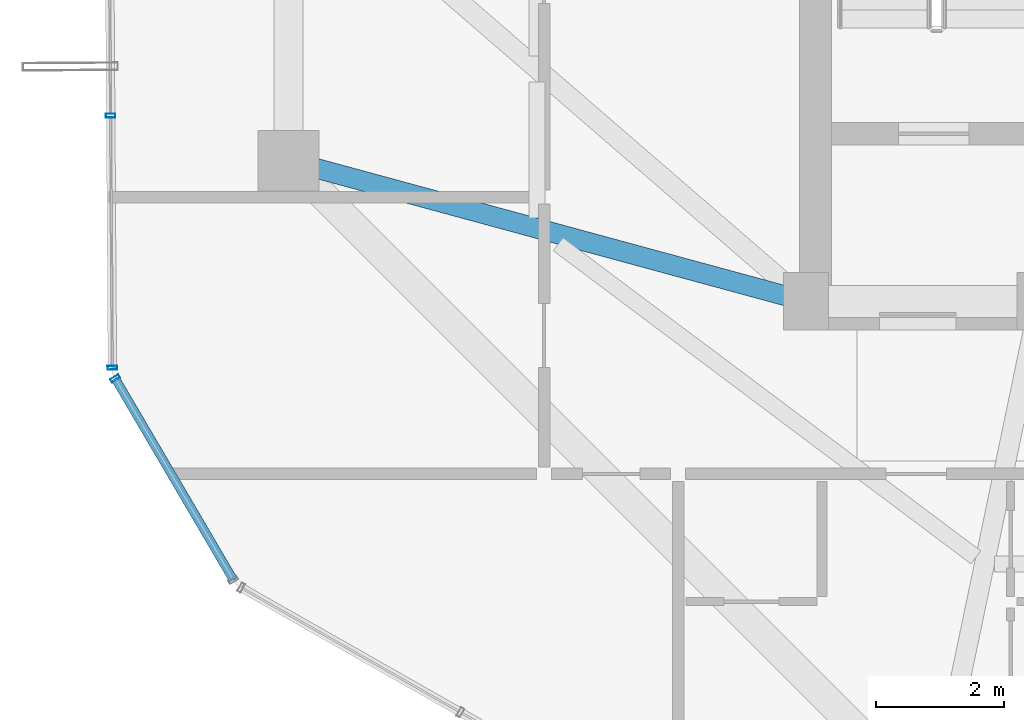
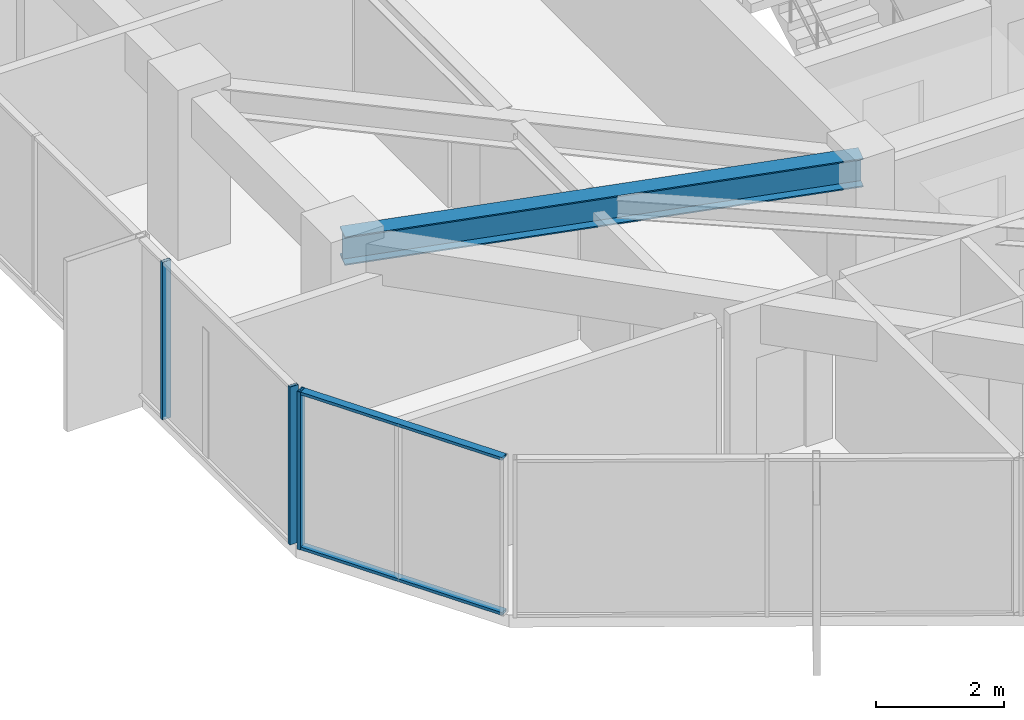
# One storey, part 5 of 31: 5 members, 1 beam, 2 elements without a shape of their own.
"""IFC4 building model written with IfcOpenShell, lengths in metres."""

from ifc_helpers import new_model, si_unit, direction, frame, origin, origin_2d, place, context, subcontext, project, spatial, hollow_rectangle, i_section, extrude, source, transform, mapped, material, layer, layer_set, material_profile, profile_set, type_object, element, aggregate, save


model = new_model("IFC4")

# Units and contexts
model_context = context("Model", 3, precision=1e-05, world=origin(), true_north=direction((0.0, 1.0)))
body_context = subcontext(model_context, "Body", "Model", "MODEL_VIEW")
ifc_project = project(units=[si_unit("LENGTHUNIT", "METRE"), si_unit("AREAUNIT", "SQUARE_METRE"), si_unit("VOLUMEUNIT", "CUBIC_METRE"), si_unit("PLANEANGLEUNIT", "RADIAN"), si_unit("MASSUNIT", "GRAM", prefix="KILO")], contexts=[model_context])

# Site, building, storey
site_placement = place(None, origin())
site = spatial("IfcSite", under=ifc_project, at=site_placement, CompositionType="ELEMENT")
building_placement = place(site_placement, origin())
building = spatial("IfcBuilding", under=site, at=building_placement, Name="Veraguas Prism Commons", CompositionType="ELEMENT")
storey_placement = place(building_placement, frame((0.0, 0.0, 204.85009765625)))
storey = spatial("IfcBuildingStorey", under=building, at=storey_placement, Name="L58", CompositionType="ELEMENT", Elevation=204.85009765625)

# Beam
ifc_material_1 = material(Name="Steel ASTM A992 Grade 50", Category="steel")
ifc_material_profile_1 = material_profile(ifc_material_1, i_section(OverallWidth=0.31103515625, OverallDepth=0.5458984375, WebThickness=0.0146484375, FlangeThickness=0.023681640625, at=origin_2d()), Name="W530X165")
ifc_profile_set_1 = profile_set([ifc_material_profile_1], Name="Steel ASTM A992 Grade 50")
beam_type = type_object("IfcBeamType", Name="Zone 3 Radial Girder W530x165", PredefinedType="BEAM", material=ifc_profile_set_1)
beam_placement = place(storey_placement, frame((9.10009765625, 19.199951171875, 2.741943359375), z_axis=(0.965038506703, -0.262108146725, 0.0), x_axis=(0.262108146725, 0.965038506703, 0.0)))
element("IfcBeam", 1, at=beam_placement, inside=storey, type_object=beam_type, Name="Radial Floor Girder L58-RD09", PredefinedType="BEAM", context=body_context, shape_type="SweptSolid", body=[
    extrude(i_section(OverallWidth=0.31103515625, OverallDepth=0.5458984375, WebThickness=0.0146484375, FlangeThickness=0.023681640625, at=origin_2d()), origin(), (0.0, 0.0, 1.0), 8.393310546875),
])

# Curtain wall, members
ifc_material_2 = material(Name="Anodised aluminium EN AW-6063 T6", Category="aluminium")
ifc_layer = layer(ifc_material_2, 0.14990234375, Name="Unitised Flush Curtain Wall Zone 3", Category="aluminium")
ifc_layer_set = layer_set([ifc_layer], Name="Anodised aluminium EN AW-6063 T6")
curtain_wall_type = type_object("IfcCurtainWallType", Name="Unitised Flush Curtain Wall Zone 3", PredefinedType="NOTDEFINED", material=ifc_layer_set)
curtain_wall_1_placement = place(storey_placement, origin())
curtain_wall_1 = element("IfcCurtainWall", 2, at=curtain_wall_1_placement, inside=storey, type_object=curtain_wall_type, Name="Tower Facade Curtain Wall L58-F3", PredefinedType="NOTDEFINED")
ifc_material_profile_2 = material_profile(ifc_material_2, hollow_rectangle(XDim=0.06005859375, YDim=0.14990234375, WallThickness=0.0029296875, at=origin_2d()), Name="AL60X150X3")
ifc_profile_set_2 = profile_set([ifc_material_profile_2], Name="Anodised aluminium EN AW-6063 T6")
member_type_1 = type_object("IfcMemberType", Name="Curtain Wall Mullion Upper AL 60x150x3", PredefinedType="MULLION", material=ifc_profile_set_2)
shared_shape_1 = source(origin(), body_context, "Body", "SweptSolid", [
    extrude(hollow_rectangle(XDim=0.06005859375, YDim=0.14990234375, WallThickness=0.0029296875, at=origin_2d()), origin(), (0.0, 0.0, 1.0), 3.014892578125),
])
member_1_placement = place(storey_placement, frame((6.31640625, 19.906982421875, 0.0), z_axis=(0.0, 0.0, 1.0), x_axis=(0.006633947827, -0.999977995126, 0.0)))
member_1 = element("IfcMember", 3, at=member_1_placement, type_object=member_type_1, Name="CW-Z3 Mullion 4", PredefinedType="MULLION", context=body_context, shape_type="MappedRepresentation", body=[
    mapped(shared_shape_1, transform((0.0, 0.0, 0.0), scale=1.0)),
])
member_2_placement = place(storey_placement, frame((6.3427734375, 15.96142578125, 0.0), z_axis=(0.0, 0.0, 1.0), x_axis=(0.006633947827, -0.999977995126, 0.0)))
member_2 = element("IfcMember", 4, at=member_2_placement, type_object=member_type_1, Name="CW-Z3 Mullion 5", PredefinedType="MULLION", context=body_context, shape_type="MappedRepresentation", body=[
    mapped(shared_shape_1, transform((0.0, 0.0, 0.0), scale=1.0)),
])
aggregate(curtain_wall_1, [member_1, member_2])

curtain_wall_2_placement = place(storey_placement, origin())
curtain_wall_2 = element("IfcCurtainWall", 5, at=curtain_wall_2_placement, inside=storey, type_object=curtain_wall_type, Name="Chamfer Curtain Wall L58-C4", PredefinedType="NOTDEFINED")
member_3_placement = place(storey_placement, frame((6.388671875, 15.793701171875, 0.0), z_axis=(0.0, 0.0, 1.0), x_axis=(0.505762772493, -0.862672601837, 0.0)))
member_3 = element("IfcMember", 6, at=member_3_placement, type_object=member_type_1, Name="CW-Z3 Mullion 1", PredefinedType="MULLION", context=body_context, shape_type="MappedRepresentation", body=[
    mapped(shared_shape_1, transform((0.0, 0.0, 0.0), scale=1.0)),
])
ifc_material_profile_3 = material_profile(ifc_material_2, hollow_rectangle(XDim=0.054931640625, YDim=0.135009765625, WallThickness=0.0029296875, at=origin_2d()), Name="AL55X135X3")
ifc_profile_set_3 = profile_set([ifc_material_profile_3], Name="Anodised aluminium EN AW-6063 T6")
member_type_2 = type_object("IfcMemberType", Name="Curtain Wall Transom Standard AL 55x135x3", PredefinedType="USERDEFINED", material=ifc_profile_set_3)
shared_shape_2 = source(origin(), body_context, "Body", "SweptSolid", [
    extrude(hollow_rectangle(XDim=0.054931640625, YDim=0.135009765625, WallThickness=0.0029296875, at=origin_2d()), origin(), (0.0, 0.0, 1.0), 3.654296875),
])
member_4_placement = place(storey_placement, frame((6.388671875, 15.793701171875, 0.02734375), z_axis=(0.505813798423, -0.862642684618, 0.0), x_axis=(0.0, 0.0, 1.0)))
member_4 = element("IfcMember", 7, at=member_4_placement, type_object=member_type_2, Name="CW-Z3 Transom 1", ObjectType="TRANSOM", PredefinedType="USERDEFINED", context=body_context, shape_type="MappedRepresentation", body=[
    mapped(shared_shape_2, transform((0.0, 0.0, 0.0), scale=1.0)),
])
member_5_placement = place(storey_placement, frame((6.388671875, 15.793701171875, 2.9873046875), z_axis=(0.505813798423, -0.862642684618, 0.0), x_axis=(0.0, 0.0, 1.0)))
member_5 = element("IfcMember", 8, at=member_5_placement, type_object=member_type_2, Name="CW-Z3 Transom 2", ObjectType="TRANSOM", PredefinedType="USERDEFINED", context=body_context, shape_type="MappedRepresentation", body=[
    mapped(shared_shape_2, transform((0.0, 0.0, 0.0), scale=1.0)),
])
aggregate(curtain_wall_2, [member_3, member_4, member_5])

save(model, "model.ifc")
